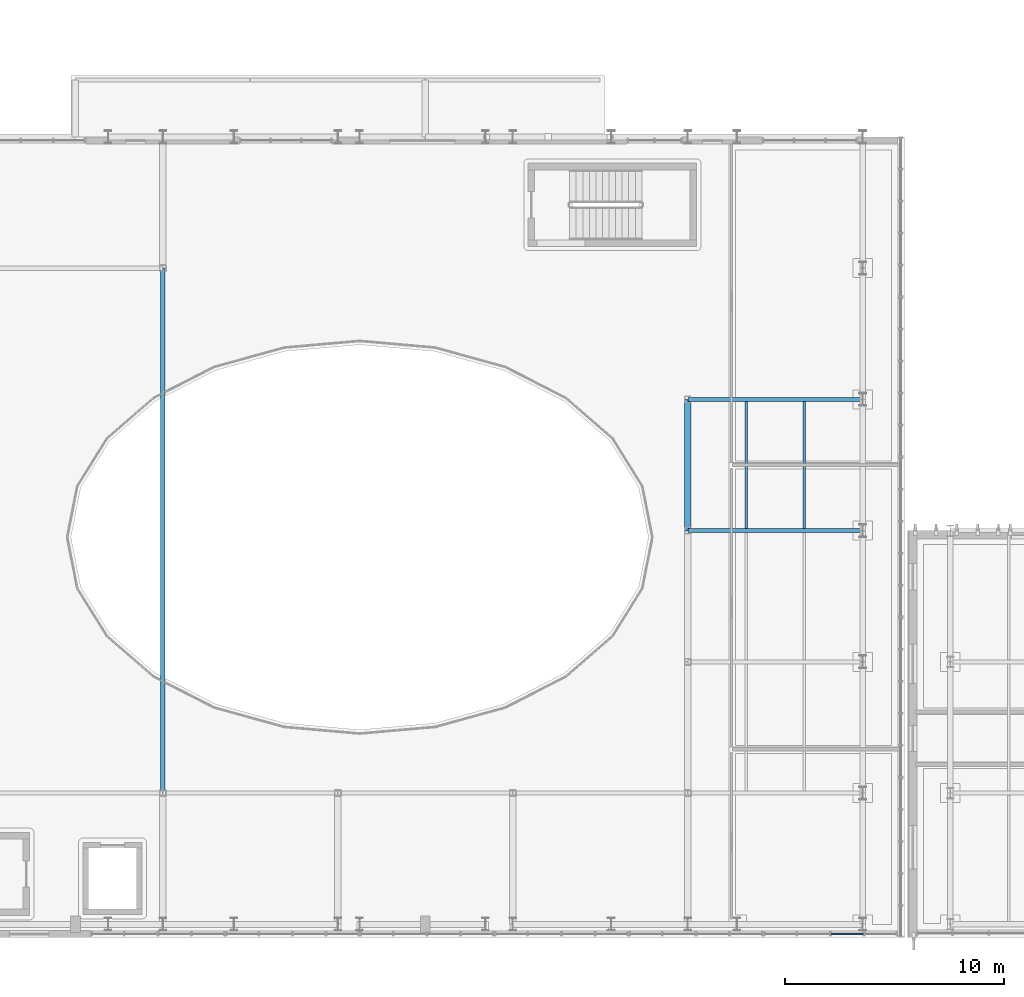
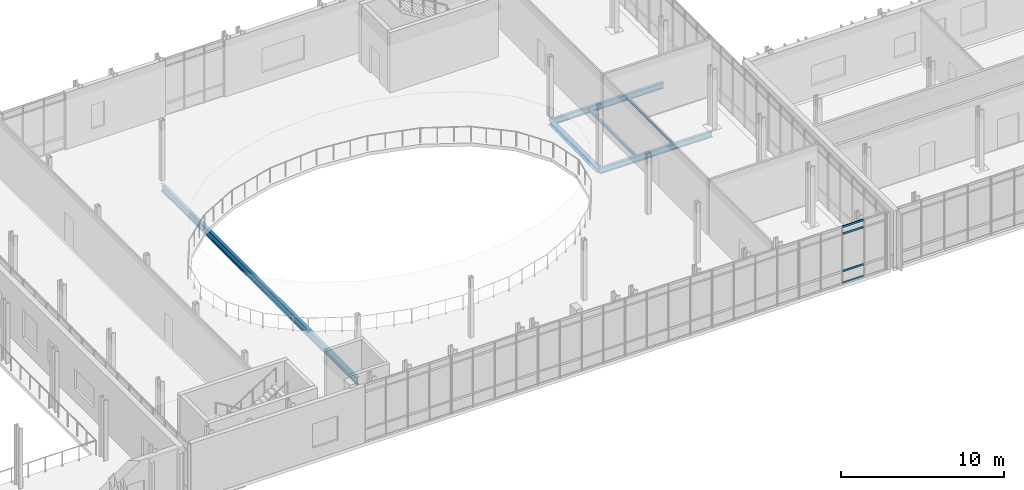
# One storey, part 27 of 100: 6 beams, 4 members, 1 element without a shape of its own.
"""IFC4 building model written with IfcOpenShell, lengths in metres."""

from ifc_helpers import new_model, si_unit, direction, frame, origin, origin_2d, place, context, subcontext, project, spatial, rectangle, i_section, extrude, material, material_profile, profile_set, type_object, element, aggregate, save


model = new_model("IFC4")

# Units and contexts
model_context = context("Model", 3, precision=1e-05, world=origin(), true_north=direction((0.0, 1.0)))
body_context = subcontext(model_context, "Body", "Model", "MODEL_VIEW")
ifc_project = project(units=[si_unit("LENGTHUNIT", "METRE"), si_unit("AREAUNIT", "SQUARE_METRE"), si_unit("VOLUMEUNIT", "CUBIC_METRE"), si_unit("PLANEANGLEUNIT", "RADIAN"), si_unit("MASSUNIT", "GRAM", prefix="KILO")], contexts=[model_context])

# Site, building, storey
site_placement = place(None, origin())
site = spatial("IfcSite", under=ifc_project, at=site_placement, CompositionType="ELEMENT")
building_placement = place(site_placement, origin())
building = spatial("IfcBuilding", under=site, at=building_placement, Name="Cymarion Research Institute", CompositionType="ELEMENT")
storey_placement = place(building_placement, frame((0.0, 0.0, 4.800048828125)))
storey = spatial("IfcBuildingStorey", under=building, at=storey_placement, Name="L01", CompositionType="ELEMENT", Elevation=4.800048828125)

# Curtain wall, members
ifc_material_1 = material(Name="Anodised aluminium unitised curtain wall with Low-E glazing", Category="aluminium")
curtain_wall_type = type_object("IfcCurtainWallType", Name="UNITISED CURTAIN WALL CW07 6150X4250", PredefinedType="NOTDEFINED", material=ifc_material_1)
curtain_wall_placement = place(storey_placement, origin())
curtain_wall = element("IfcCurtainWall", 1, at=curtain_wall_placement, inside=storey, type_object=curtain_wall_type, Name="L01 V2 unitised curtain wall CW07 #18", PredefinedType="NOTDEFINED")
ifc_material_2 = material(Name="Anodised aluminium framing", Category="aluminium")
ifc_material_profile_1 = material_profile(ifc_material_2, rectangle(XDim=0.06005859375, YDim=0.14990234375, at=origin_2d()), Name="ALU TRANSOM 60x150")
ifc_profile_set_1 = profile_set([ifc_material_profile_1], Name="Anodised aluminium framing")
member_type = type_object("IfcMemberType", Name="CURTAIN WALL TRANSOM TR01 60X150", PredefinedType="USERDEFINED", material=ifc_profile_set_1)
member_1_placement = place(storey_placement, frame((101.1533203125, 5.06005859375, 0.030029296875), z_axis=(1.0, 0.0, 0.0), x_axis=(0.0, 1.0, 0.0)))
member_1 = element("IfcMember", 2, at=member_1_placement, type_object=member_type, Name="CW07 transom 3.1", ObjectType="TRANSOM", PredefinedType="USERDEFINED", context=body_context, shape_type="SweptSolid", body=[
    extrude(rectangle(XDim=0.06005859375, YDim=0.14990234375, at=origin_2d()), origin(), (0.0, 0.0, 1.0), 1.477294921875),
])
member_2_placement = place(storey_placement, frame((101.1533203125, 5.06005859375, 0.89990234375), z_axis=(1.0, 0.0, 0.0), x_axis=(0.0, 1.0, 0.0)))
member_2 = element("IfcMember", 3, at=member_2_placement, type_object=member_type, Name="CW07 transom 3.2", ObjectType="TRANSOM", PredefinedType="USERDEFINED", context=body_context, shape_type="SweptSolid", body=[
    extrude(rectangle(XDim=0.06005859375, YDim=0.14990234375, at=origin_2d()), origin(), (0.0, 0.0, 1.0), 1.477294921875),
])
member_3_placement = place(storey_placement, frame((101.1533203125, 5.06005859375, 3.699951171875), z_axis=(1.0, 0.0, 0.0), x_axis=(0.0, 1.0, 0.0)))
member_3 = element("IfcMember", 4, at=member_3_placement, type_object=member_type, Name="CW07 transom 3.3", ObjectType="TRANSOM", PredefinedType="USERDEFINED", context=body_context, shape_type="SweptSolid", body=[
    extrude(rectangle(XDim=0.06005859375, YDim=0.14990234375, at=origin_2d()), origin(), (0.0, 0.0, 1.0), 1.477294921875),
])
member_4_placement = place(storey_placement, frame((101.1533203125, 5.06005859375, 4.219970703125), z_axis=(1.0, 0.0, 0.0), x_axis=(0.0, 1.0, 0.0)))
member_4 = element("IfcMember", 5, at=member_4_placement, type_object=member_type, Name="CW07 transom 3.4", ObjectType="TRANSOM", PredefinedType="USERDEFINED", context=body_context, shape_type="SweptSolid", body=[
    extrude(rectangle(XDim=0.06005859375, YDim=0.14990234375, at=origin_2d()), origin(), (0.0, 0.0, 1.0), 1.477294921875),
])
aggregate(curtain_wall, [member_1, member_2, member_3, member_4])

# Beams
ifc_material_3 = material(Name="Steel S355", Category="steel")
ifc_material_profile_2 = material_profile(ifc_material_3, i_section(OverallWidth=0.2099609375, OverallDepth=0.550048828125, WebThickness=0.010986328125, FlangeThickness=0.01708984375, FilletRadius=0.02392578125, at=origin_2d()), Name="IPE 550")
ifc_profile_set_2 = profile_set([ifc_material_profile_2], Name="Steel S355")
beam_type_1 = type_object("IfcBeamType", Name="PRIMARY GIRDER BM02 IPE 550", PredefinedType="BEAM", material=ifc_profile_set_2)
beam_1_placement = place(storey_placement, frame((70.60009765625, 11.506103515625, -0.525146484375), z_axis=(0.0, 1.0, 0.0), x_axis=(-1.0, 0.0, 0.0)))
element("IfcBeam", 6, at=beam_1_placement, inside=storey, type_object=beam_type_1, Name="L01 V2 girder BM02 #508", PredefinedType="BEAM", context=body_context, shape_type="SweptSolid", body=[
    extrude(i_section(OverallWidth=0.2099609375, OverallDepth=0.550048828125, WebThickness=0.010986328125, FlangeThickness=0.01708984375, FilletRadius=0.02392578125, at=origin_2d()), origin(), (0.0, 0.0, 1.0), 23.98779296875),
])
ifc_material_profile_3 = material_profile(ifc_material_3, i_section(OverallWidth=0.18994140625, OverallDepth=0.449951171875, WebThickness=0.009521484375, FlangeThickness=0.0146484375, FilletRadius=0.02099609375, at=origin_2d()), Name="IPE 450")
ifc_profile_set_3 = profile_set([ifc_material_profile_3], Name="Steel S355")
beam_type_2 = type_object("IfcBeamType", Name="PRIMARY GIRDER BM04 IPE 450", PredefinedType="BEAM", material=ifc_profile_set_3)
for number, where, z_axis, x_axis, name in (
    (7, (94.60595703125, 23.5, -0.47509765625), (1.0, 0.0, 0.0), (0.0, 1.0, 0.0), "L01 V2 girder BM04 #477"),
    (8, (94.60595703125, 29.5, -0.47509765625), (1.0, 0.0, 0.0), (0.0, 1.0, 0.0), "L01 V2 girder BM04 #479"),
):
    element("IfcBeam", number, at=place(storey_placement, frame(where, z_axis=z_axis, x_axis=x_axis)), inside=storey, type_object=beam_type_2, Name=name, PredefinedType="BEAM", context=body_context, shape_type="SweptSolid", body=[
        extrude(i_section(OverallWidth=0.18994140625, OverallDepth=0.449951171875, WebThickness=0.009521484375, FlangeThickness=0.0146484375, FilletRadius=0.02099609375, at=origin_2d()), origin(), (0.0, 0.0, 1.0), 7.988037109375),
    ])
ifc_material_profile_4 = material_profile(ifc_material_3, i_section(OverallWidth=0.300048828125, OverallDepth=0.35009765625, WebThickness=0.010009765625, FlangeThickness=0.017578125, FilletRadius=0.027099609375, at=origin_2d()), Name="HEA 360")
ifc_profile_set_4 = profile_set([ifc_material_profile_4], Name="Steel S355")
beam_type_3 = type_object("IfcBeamType", Name="PRIMARY GIRDER BM12 HEA 360", PredefinedType="BEAM", material=ifc_profile_set_4)
beam_2_placement = place(storey_placement, frame((94.60009765625, 23.506103515625, -0.425048828125), z_axis=(0.0, 1.0, 0.0), x_axis=(-1.0, 0.0, 0.0)))
element("IfcBeam", 9, at=beam_2_placement, inside=storey, type_object=beam_type_3, Name="L01 V2 girder BM12 #516", PredefinedType="BEAM", context=body_context, shape_type="SweptSolid", body=[
    extrude(i_section(OverallWidth=0.300048828125, OverallDepth=0.35009765625, WebThickness=0.010009765625, FlangeThickness=0.017578125, FilletRadius=0.027099609375, at=origin_2d()), origin(), (0.0, 0.0, 1.0), 5.98779296875),
])
ifc_material_profile_5 = material_profile(ifc_material_3, i_section(OverallWidth=0.1201171875, OverallDepth=0.239990234375, WebThickness=0.006103515625, FlangeThickness=0.009765625, FilletRadius=0.014892578125, at=origin_2d()), Name="IPE 240")
ifc_profile_set_5 = profile_set([ifc_material_profile_5], Name="Steel S355")
beam_type_4 = type_object("IfcBeamType", Name="SECONDARY JOIST JS04 IPE 240", PredefinedType="JOIST", material=ifc_profile_set_5)
for number, where, z_axis, x_axis, name in (
    (10, (97.2666015625, 23.59912109375, -0.3701171875), (0.0, 1.0, 0.0), (-1.0, 0.0, 0.0), "L01 V2 secondary joist JS04 #530"),
    (11, (99.933349609375, 23.59912109375, -0.3701171875), (0.0, 1.0, 0.0), (-1.0, 0.0, 0.0), "L01 V2 secondary joist JS04 #531"),
):
    element("IfcBeam", number, at=place(storey_placement, frame(where, z_axis=z_axis, x_axis=x_axis)), inside=storey, type_object=beam_type_4, Name=name, PredefinedType="JOIST", context=body_context, shape_type="SweptSolid", body=[
        extrude(i_section(OverallWidth=0.1201171875, OverallDepth=0.239990234375, WebThickness=0.006103515625, FlangeThickness=0.009765625, FilletRadius=0.014892578125, at=origin_2d()), origin(), (0.0, 0.0, 1.0), 5.8017578125),
    ])

save(model, "model.ifc")
